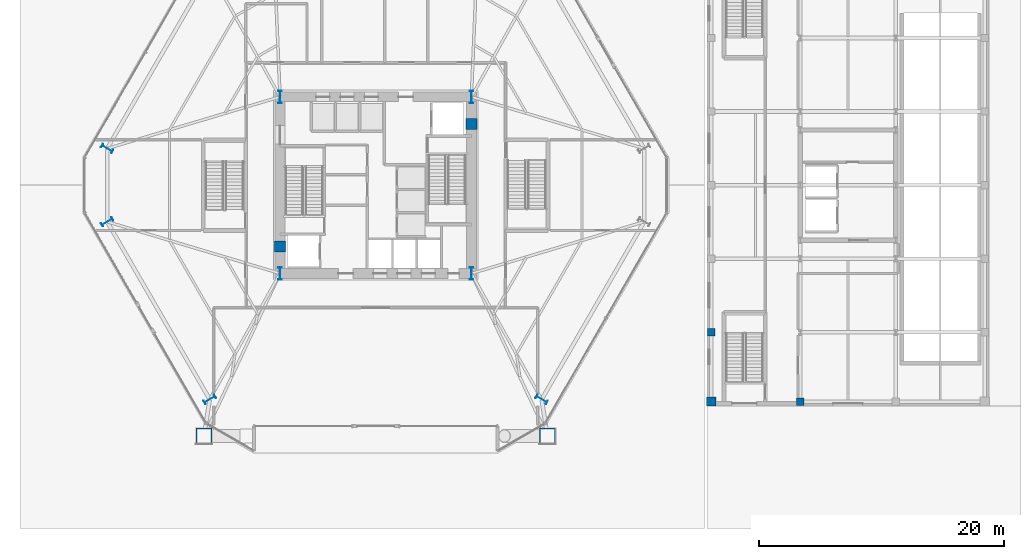
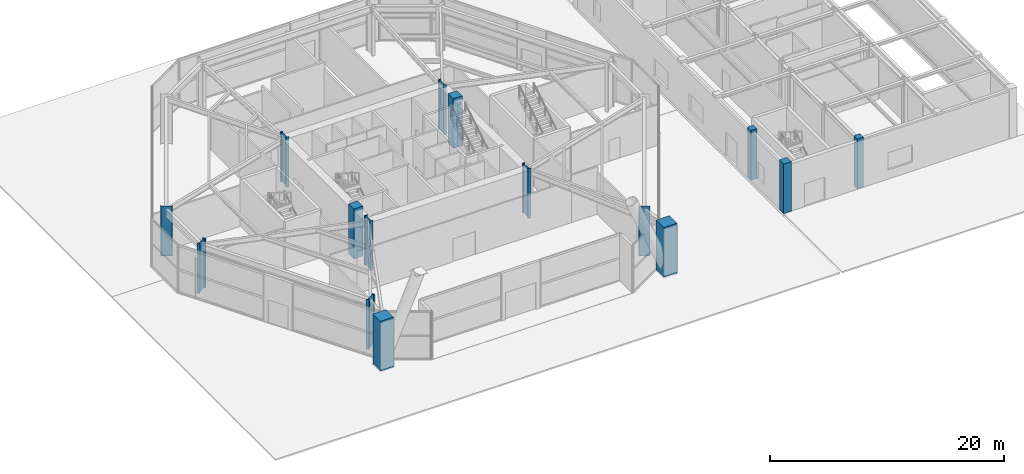
# One storey, part 1 of 26: 15 columns.
"""IFC4 building model written with IfcOpenShell, lengths in metres."""

from ifc_helpers import new_model, si_unit, direction, frame, origin, origin_2d, place, context, subcontext, project, spatial, rectangle, i_section, extrude, material, material_profile, profile_set, type_object, element, save


model = new_model("IFC4")

# Units and contexts
model_context = context("Model", 3, precision=1e-05, world=origin(), true_north=direction((0.0, 1.0)))
body_context = subcontext(model_context, "Body", "Model", "MODEL_VIEW")
ifc_project = project(units=[si_unit("LENGTHUNIT", "METRE"), si_unit("AREAUNIT", "SQUARE_METRE"), si_unit("VOLUMEUNIT", "CUBIC_METRE"), si_unit("PLANEANGLEUNIT", "RADIAN"), si_unit("MASSUNIT", "GRAM", prefix="KILO")], contexts=[model_context])

# Site, building, storey
site_placement = place(None, origin())
site = spatial("IfcSite", under=ifc_project, at=site_placement, CompositionType="ELEMENT")
building_placement = place(site_placement, origin())
building = spatial("IfcBuilding", under=site, at=building_placement, Name="Kranzbogen Civic Tower", CompositionType="ELEMENT")
storey_placement = place(building_placement, origin())
storey = spatial("IfcBuildingStorey", under=building, at=storey_placement, Name="L00", CompositionType="ELEMENT", Elevation=0.0)

# Columns
ifc_material_1 = material(Name="Steel S460", Category="steel")
ifc_material_profile_1 = material_profile(ifc_material_1, i_section(OverallWidth=0.302001953125, OverallDepth=1.008056640625, WebThickness=0.02099609375, FlangeThickness=0.0400390625, at=origin_2d()), Name="HEM 1000")
ifc_profile_set_1 = profile_set([ifc_material_profile_1], Name="Steel S460")
column_type_1 = type_object("IfcColumnType", Name="Structural Column HEM 1000", PredefinedType="COLUMN", material=ifc_profile_set_1)
for number, where, z_axis, x_axis, name in (
    (1, (17.199951171875, 17.800048828125, 0.0), (0.0, 0.0, 1.0), (1.0, 0.0, 0.0), "L00 composite core corner column 1"),
    (2, (32.800048828125, 17.800048828125, 0.0), (0.0, 0.0, 1.0), (1.0, 0.0, 0.0), "L00 composite core corner column 2"),
    (3, (32.800048828125, 32.199951171875, 0.0), (0.0, 0.0, 1.0), (1.0, 0.0, 0.0), "L00 composite core corner column 3"),
    (4, (17.199951171875, 32.199951171875, 0.0), (0.0, 0.0, 1.0), (1.0, 0.0, 0.0), "L00 composite core corner column 4"),
    (5, (3.110107421875, 27.986083984375, 0.0), (0.0, 0.0, 1.0), (0.5, 0.866025403784, 0.0), "L00 tower perimeter tube column 06"),
    (6, (3.110107421875, 22.013916015625, 0.0), (0.0, 0.0, 1.0), (-0.5, 0.866025403784, 0.0), "L00 tower perimeter tube column 07"),
    (7, (11.468994140625, 7.535888671875, 0.0), (0.0, 0.0, 1.0), (-0.5, 0.866025403784, 0.0), "L00 tower perimeter tube column 08"),
    (8, (38.531005859375, 7.535888671875, 0.0), (0.0, 0.0, 1.0), (0.5, 0.866025403784, 0.0), "L00 tower perimeter tube column 11"),
):
    element("IfcColumn", number, at=place(storey_placement, frame(where, z_axis=z_axis, x_axis=x_axis)), inside=storey, type_object=column_type_1, Name=name, PredefinedType="COLUMN", context=body_context, shape_type="SweptSolid", body=[
        extrude(i_section(OverallWidth=0.302001953125, OverallDepth=1.008056640625, WebThickness=0.02099609375, FlangeThickness=0.0400390625, at=origin_2d()), origin(), (0.0, 0.0, 1.0), 5.199951171875),
    ])
ifc_material_2 = material(Name="Concrete C55/67", Category="concrete")
ifc_material_profile_2 = material_profile(ifc_material_2, rectangle(XDim=1.300048828125, YDim=1.300048828125, at=origin_2d()), Name="RC 1300x1300")
ifc_profile_set_2 = profile_set([ifc_material_profile_2], Name="Concrete C55/67")
column_type_2 = type_object("IfcColumnType", Name="Structural Column RC 1300x1300", PredefinedType="COLUMN", material=ifc_profile_set_2)
for number, where, z_axis, x_axis, name in (
    (9, (11.0, 4.550048828125, 0.0), (0.0, 0.0, 1.0), (1.0, 0.0, 0.0), "L00 portal arch corner pier 1"),
    (10, (39.0, 4.550048828125, 0.0), (0.0, 0.0, 1.0), (1.0, 0.0, 0.0), "L00 portal arch corner pier 2"),
):
    element("IfcColumn", number, at=place(storey_placement, frame(where, z_axis=z_axis, x_axis=x_axis)), inside=storey, type_object=column_type_2, Name=name, PredefinedType="COLUMN", context=body_context, shape_type="SweptSolid", body=[
        extrude(rectangle(XDim=1.300048828125, YDim=1.300048828125, at=origin_2d()), origin(), (0.0, 0.0, 1.0), 5.199951171875),
    ])
ifc_material_3 = material(Name="Concrete C40/50", Category="concrete")
ifc_material_profile_3 = material_profile(ifc_material_3, rectangle(XDim=0.60009765625, YDim=0.60009765625, at=origin_2d()), Name="RC 600x600")
ifc_profile_set_3 = profile_set([ifc_material_profile_3], Name="Concrete C40/50")
column_type_3 = type_object("IfcColumnType", Name="Structural Column RC 600x600", PredefinedType="COLUMN", material=ifc_profile_set_3)
for number, where, z_axis, x_axis, name in (
    (11, (52.35009765625, 13.0, 0.0), (0.0, 0.0, 1.0), (1.0, 0.0, 0.0), "L00 Health Centre column 10/C"),
    (12, (59.60009765625, 7.35009765625, 0.0), (0.0, 0.0, 1.0), (1.0, 0.0, 0.0), "L00 Health Centre column 11/B"),
):
    element("IfcColumn", number, at=place(storey_placement, frame(where, z_axis=z_axis, x_axis=x_axis)), inside=storey, type_object=column_type_3, Name=name, PredefinedType="COLUMN", context=body_context, shape_type="SweptSolid", body=[
        extrude(rectangle(XDim=0.60009765625, YDim=0.60009765625, at=origin_2d()), origin(), (0.0, 0.0, 1.0), 5.199951171875),
    ])
ifc_material_profile_4 = material_profile(ifc_material_3, rectangle(XDim=0.75, YDim=0.75, at=origin_2d()), Name="RC 750x750")
ifc_profile_set_4 = profile_set([ifc_material_profile_4], Name="Concrete C40/50")
column_type_4 = type_object("IfcColumnType", Name="Structural Column RC 750x750", PredefinedType="COLUMN", material=ifc_profile_set_4)
column_placement = place(storey_placement, frame((52.35009765625, 7.35009765625, 0.0), z_axis=(0.0, 0.0, 1.0), x_axis=(1.0, 0.0, 0.0)))
element("IfcColumn", 13, at=column_placement, inside=storey, type_object=column_type_4, Name="L00 Health Centre column 10/B", PredefinedType="COLUMN", context=body_context, shape_type="SweptSolid", body=[
    extrude(rectangle(XDim=0.75, YDim=0.75, at=origin_2d()), origin(), (0.0, 0.0, 1.0), 5.199951171875),
])
ifc_material_4 = material(Name="Concrete C45/55", Category="concrete")
ifc_material_profile_5 = material_profile(ifc_material_4, rectangle(XDim=0.89990234375, YDim=0.89990234375, at=origin_2d()), Name="RC 900x900")
ifc_profile_set_5 = profile_set([ifc_material_profile_5], Name="Concrete C45/55")
column_type_5 = type_object("IfcColumnType", Name="Structural Column RC 900x900", PredefinedType="PILASTER", material=ifc_profile_set_5)
for number, where, z_axis, x_axis, name in (
    (14, (17.199951171875, 20.0, 0.0), (0.0, 0.0, 1.0), (1.0, 0.0, 0.0), "L00 core portal pilaster 1"),
    (15, (32.800048828125, 30.0, 0.0), (0.0, 0.0, 1.0), (1.0, 0.0, 0.0), "L00 core portal pilaster 2"),
):
    element("IfcColumn", number, at=place(storey_placement, frame(where, z_axis=z_axis, x_axis=x_axis)), inside=storey, type_object=column_type_5, Name=name, PredefinedType="PILASTER", context=body_context, shape_type="SweptSolid", body=[
        extrude(rectangle(XDim=0.89990234375, YDim=0.89990234375, at=origin_2d()), origin(), (0.0, 0.0, 1.0), 5.199951171875),
    ])

save(model, "model.ifc")
